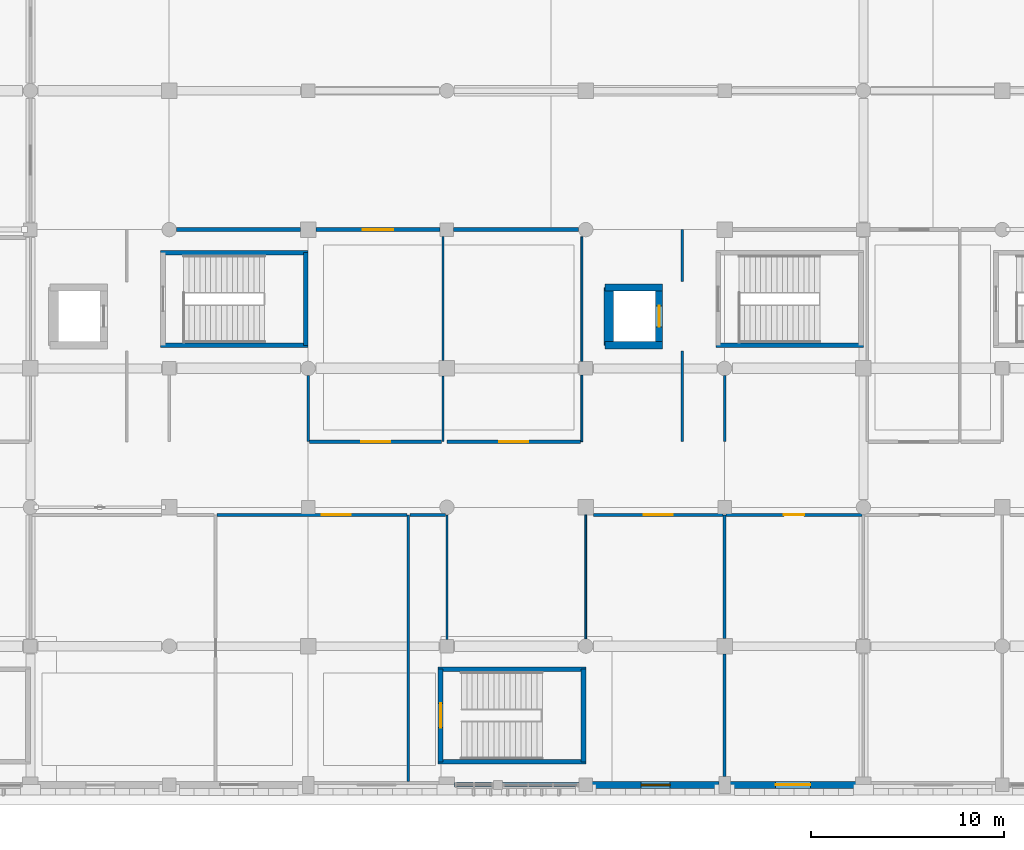
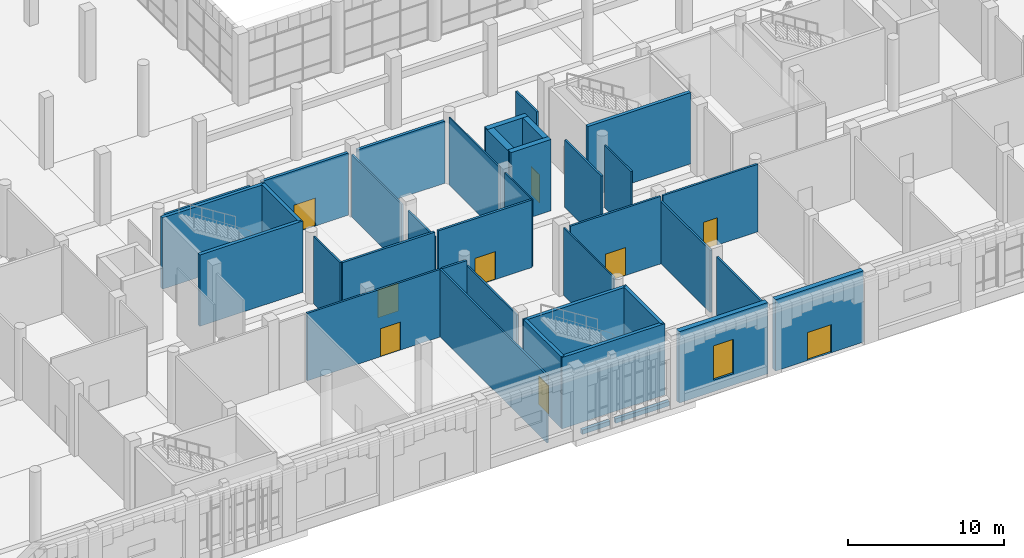
# One storey, part 55 of 85: 38 walls, 9 doors, 1 window, 10 openings.
"""IFC4 building model written with IfcOpenShell, lengths in metres."""

from ifc_helpers import new_model, si_unit, direction, frame, frame_2d, origin, place, context, subcontext, project, spatial, rectangle, extrude, material, layer, layer_set, type_object, element, fill, save


model = new_model("IFC4")

# Units and contexts
model_context = context("Model", 3, precision=1e-05, world=origin(), true_north=direction((0.0, 1.0)))
body_context = subcontext(model_context, "Body", "Model", "MODEL_VIEW")
ifc_project = project(units=[si_unit("LENGTHUNIT", "METRE"), si_unit("AREAUNIT", "SQUARE_METRE"), si_unit("VOLUMEUNIT", "CUBIC_METRE"), si_unit("PLANEANGLEUNIT", "RADIAN"), si_unit("MASSUNIT", "GRAM", prefix="KILO")], contexts=[model_context])

# Site, building, storey
site_placement = place(None, origin())
site = spatial("IfcSite", under=ifc_project, at=site_placement, CompositionType="ELEMENT")
building_placement = place(site_placement, origin())
building = spatial("IfcBuilding", under=site, at=building_placement, Name="Sardonyx Promenade Sports Hall", CompositionType="ELEMENT")
storey_placement = place(building_placement, origin())
storey = spatial("IfcBuildingStorey", under=building, at=storey_placement, Name="L00", CompositionType="ELEMENT", Elevation=0.0)

# Wall, opening, door
ifc_material_1 = material(Name="Concrete C40/50", Category="concrete")
ifc_layer_1 = layer(ifc_material_1, 0.3798828125)
ifc_layer_set_1 = layer_set([ifc_layer_1], Name="Wall_Core_Shear_380")
wall_type_1 = type_object("IfcWallType", Name="Wall_Core_Shear_380", PredefinedType="SHEAR", material=ifc_layer_set_1)
wall_1_placement = place(storey_placement, frame((54.199951171875, 22.800048828125, 0.0), z_axis=(0.0, 0.0, 1.0), x_axis=(0.0, 1.0, 0.0)))
wall_1 = element("IfcWall", 1, at=wall_1_placement, inside=storey, type_object=wall_type_1, Name="Lift shaft wall LF3 L00 E", PredefinedType="SHEAR", context=body_context, shape_type="SweptSolid", body=[
    extrude(rectangle(XDim=3.0, YDim=0.3798828125, at=frame_2d((1.5, 0.0))), origin(), (0.0, 0.0, 1.0), 5.60009765625),
])
opening_1_placement = place(wall_1_placement, frame((0.949951171875, 0.0, 0.0)))
opening_1 = element("IfcOpeningElement", 2, at=opening_1_placement, cuts=wall_1, Name="Opening LD01", PredefinedType="OPENING", context=body_context, shape_type="SweptSolid", body=[
    extrude(rectangle(XDim=1.10009765625, YDim=2.199951171875, at=frame_2d((0.550048828125, 1.10009765625))), frame((0.0, 0.2, 0.0), z_axis=(0.0, -1.0, 0.0), x_axis=(1.0, 0.0, 0.0)), (0.0, 0.0, 1.0), 0.4),
])
ifc_material_2 = material(Name="Fire-rated stainless steel sliding lift door", Category="steel")
door_type_1 = type_object("IfcDoorType", Name="Door_Lift_Pass_110x220", OperationType="NOTDEFINED", PredefinedType="DOOR", material=ifc_material_2)
door_1_placement = place(opening_1_placement, origin())
door_1 = element("IfcDoor", 3, at=door_1_placement, inside=storey, type_object=door_type_1, Name="Lift landing sliding door LD-LF3-L00", OperationType="SLIDING_TO_LEFT", OverallHeight=2.199951171875, OverallWidth=1.10009765625, PredefinedType="DOOR", context=body_context, shape_type="SweptSolid", body=[
    extrude(rectangle(XDim=1.10009765625, YDim=2.199951171875, at=frame_2d((0.550048828125, 1.10009765625))), frame((0.0, 0.02490234375, 0.0), z_axis=(0.0, -1.0, 0.0), x_axis=(1.0, 0.0, 0.0)), (0.0, 0.0, 1.0), 0.050048828125),
])
fill(opening_1, door_1)

# Walls
for number, where, z_axis, x_axis, name in (
    (4, (51.409912109375, 25.800048828125, 0.0), (0.0, 0.0, 1.0), (1.0, 0.0, 0.0), "Lift shaft wall LF3 L00 N"),
    (5, (54.389892578125, 22.800048828125, 0.0), (0.0, 0.0, 1.0), (-1.0, 0.0, 0.0), "Lift shaft wall LF3 L00 S"),
):
    element("IfcWall", number, at=place(storey_placement, frame(where, z_axis=z_axis, x_axis=x_axis)), inside=storey, type_object=wall_type_1, Name=name, PredefinedType="SHEAR", context=body_context, shape_type="SweptSolid", body=[
        extrude(rectangle(XDim=2.97998046875, YDim=0.3798828125, at=frame_2d((1.489990234375, 0.0))), origin(), (0.0, 0.0, 1.0), 5.60009765625),
    ])
ifc_material_3 = material(Name="Concrete C50/60", Category="concrete")
ifc_layer_2 = layer(ifc_material_3, 0.5)
ifc_layer_set_2 = layer_set([ifc_layer_2], Name="Wall_Core_Shear_500")
wall_type_2 = type_object("IfcWallType", Name="Wall_Core_Shear_500", PredefinedType="SHEAR", material=ifc_layer_set_2)
wall_2_placement = place(storey_placement, frame((51.60009765625, 25.800048828125, 0.0), z_axis=(0.0, 0.0, 1.0), x_axis=(0.0, -1.0, 0.0)))
element("IfcWall", 6, at=wall_2_placement, inside=storey, type_object=wall_type_2, Name="Lift shaft wall LF3 L00 W", PredefinedType="SHEAR", context=body_context, shape_type="SweptSolid", body=[
    extrude(rectangle(XDim=3.0, YDim=0.5, at=frame_2d((1.5, 0.0))), origin(), (0.0, 0.0, 1.0), 5.60009765625),
])

# Wall, opening, door
ifc_material_4 = material(Name="Concrete C40/50", Category="concrete")
ifc_layer_3 = layer(ifc_material_4, 0.360107421875)
ifc_layer_set_3 = layer_set([ifc_layer_3], Name="Wall_Ext_Sandstone_360")
wall_type_3 = type_object("IfcWallType", Name="Wall_Ext_Sandstone_360", PredefinedType="SOLIDWALL", material=ifc_layer_set_3)
wall_3_placement = place(storey_placement, frame((64.4150390625, 0.0, 0.0), z_axis=(0.0, 0.0, 1.0), x_axis=(-1.0, 0.0, 0.0)))
wall_3 = element("IfcWall", 7, at=wall_3_placement, inside=storey, type_object=wall_type_3, Name="Exterior wall EW06 L00 #20", PredefinedType="SOLIDWALL", context=body_context, shape_type="SweptSolid", body=[
    extrude(rectangle(XDim=6.530029296875, YDim=0.360107421875, at=frame_2d((3.26513671875, 0.0))), origin(), (0.0, 0.0, 1.0), 5.60009765625),
])
opening_2_placement = place(wall_3_placement, frame((2.364990234375, 0.0, 0.0)))
opening_2 = element("IfcOpeningElement", 8, at=opening_2_placement, cuts=wall_3, Name="Opening ED04", PredefinedType="OPENING", context=body_context, shape_type="SweptSolid", body=[
    extrude(rectangle(XDim=1.800048828125, YDim=2.199951171875, at=frame_2d((0.89990234375, 1.10009765625))), frame((0.0, 0.19, 0.0), z_axis=(0.0, -1.0, 0.0), x_axis=(1.0, 0.0, 0.0)), (0.0, 0.0, 1.0), 0.38),
])
ifc_material_5 = material(Name="Thermally broken anodised aluminium glazed door", Category="aluminium")
door_type_2 = type_object("IfcDoorType", Name="Door_Ext_Escape_180x220", OperationType="NOTDEFINED", PredefinedType="DOOR", material=ifc_material_5)
door_2_placement = place(opening_2_placement, origin())
door_2 = element("IfcDoor", 9, at=door_2_placement, inside=storey, type_object=door_type_2, Name="Exterior exit door E06", OperationType="DOUBLE_DOOR_SINGLE_SWING", OverallHeight=2.199951171875, OverallWidth=1.800048828125, PredefinedType="DOOR", context=body_context, shape_type="SweptSolid", body=[
    extrude(rectangle(XDim=1.800048828125, YDim=2.199951171875, at=frame_2d((0.89990234375, 1.10009765625))), frame((0.0, 0.02490234375, 0.0), z_axis=(0.0, -1.0, 0.0), x_axis=(1.0, 0.0, 0.0)), (0.0, 0.0, 1.0), 0.050048828125),
])
fill(opening_2, door_2)

# Wall, opening, window
wall_4_placement = place(storey_placement, frame((57.31494140625, 0.0, 0.0), z_axis=(0.0, 0.0, 1.0), x_axis=(-1.0, 0.0, 0.0)))
wall_4 = element("IfcWall", 10, at=wall_4_placement, inside=storey, type_object=wall_type_3, Name="Exterior wall EW06 L00 #21", PredefinedType="SOLIDWALL", context=body_context, shape_type="SweptSolid", body=[
    extrude(rectangle(XDim=6.579833984375, YDim=0.360107421875, at=frame_2d((3.2900390625, 0.0))), origin(), (0.0, 0.0, 1.0), 5.60009765625),
])
opening_3_placement = place(wall_4_placement, frame((2.5400390625, 0.0, 0.89990234375)))
opening_3 = element("IfcOpeningElement", 11, at=opening_3_placement, cuts=wall_4, Name="Opening W07", PredefinedType="OPENING", context=body_context, shape_type="SweptSolid", body=[
    extrude(rectangle(XDim=1.5, YDim=2.699951171875, at=frame_2d((0.75, 1.35009765625))), frame((0.0, 0.19, 0.0), z_axis=(0.0, -1.0, 0.0), x_axis=(1.0, 0.0, 0.0)), (0.0, 0.0, 1.0), 0.38),
])
ifc_material_6 = material(Name="Double-glazed solar low-E aluminium window", Category="aluminium")
window_type = type_object("IfcWindowType", Name="Win_Sandstone_TallA", PartitioningType="SINGLE_PANEL", PredefinedType="WINDOW", material=ifc_material_6)
window_placement = place(opening_3_placement, origin())
window = element("IfcWindow", 12, at=window_placement, inside=storey, type_object=window_type, Name="Facade window W07 L00 #5", OverallHeight=2.699951171875, OverallWidth=1.5, PartitioningType="SINGLE_PANEL", PredefinedType="WINDOW", context=body_context, shape_type="SweptSolid", body=[
    extrude(rectangle(XDim=1.5, YDim=2.699951171875, at=frame_2d((0.75, 1.35009765625))), frame((0.0, 0.030029296875, 0.0), z_axis=(0.0, -1.0, 0.0), x_axis=(1.0, 0.0, 0.0)), (0.0, 0.0, 1.0), 0.06005859375),
])
fill(opening_3, window)

# Walls
ifc_material_7 = material(Name="Masonry CMU 15 MPa", Category="masonry")
ifc_layer_4 = layer(ifc_material_7, 0.239990234375)
ifc_layer_set_4 = layer_set([ifc_layer_4], Name="Wall_Ext_Spandrel_240")
wall_type_4 = type_object("IfcWallType", Name="Wall_Ext_Spandrel_240", PredefinedType="SOLIDWALL", material=ifc_layer_set_4)
wall_5_placement = place(storey_placement, frame((50.06494140625, 0.0, 0.0), z_axis=(0.0, 0.0, 1.0), x_axis=(-1.0, 0.0, 0.0)))
element("IfcWall", 13, at=wall_5_placement, inside=storey, type_object=wall_type_4, Name="Curtain-wall sill spandrel L00 #22", PredefinedType="SOLIDWALL", context=body_context, shape_type="SweptSolid", body=[
    extrude(rectangle(XDim=4.0048828125, YDim=0.239990234375, at=frame_2d((2.00244140625, 0.0))), origin(), (0.0, 0.0, 1.0), 0.35009765625),
])
wall_6_placement = place(storey_placement, frame((45.639892578125, 0.0, 0.0), z_axis=(0.0, 0.0, 1.0), x_axis=(-1.0, 0.0, 0.0)))
element("IfcWall", 14, at=wall_6_placement, inside=storey, type_object=wall_type_4, Name="Curtain-wall sill spandrel L00 #23", PredefinedType="SOLIDWALL", context=body_context, shape_type="SweptSolid", body=[
    extrude(rectangle(XDim=2.054931640625, YDim=0.239990234375, at=frame_2d((1.02734375, 0.0))), origin(), (0.0, 0.0, 1.0), 0.35009765625),
])

# Wall, opening, door
ifc_material_8 = material(Name="Twin-stud acoustic gypsum partition", Category="gypsum")
ifc_layer_5 = layer(ifc_material_8, 0.169921875)
ifc_layer_set_5 = layer_set([ifc_layer_5], Name="Wall_Part_Acoust_170")
wall_type_5 = type_object("IfcWallType", Name="Wall_Part_Acoust_170", PredefinedType="PARTITIONING", material=ifc_layer_set_5)
wall_7_placement = place(storey_placement, frame((36.074951171875, 17.800048828125, 0.0), z_axis=(0.0, 0.0, 1.0), x_axis=(1.0, 0.0, 0.0)))
wall_7 = element("IfcWall", 15, at=wall_7_placement, inside=storey, type_object=wall_type_5, Name="Interior partition PW06 L00 #140", PredefinedType="PARTITIONING", context=body_context, shape_type="SweptSolid", body=[
    extrude(rectangle(XDim=6.85498046875, YDim=0.169921875, at=frame_2d((3.427490234375, 0.0))), origin(), (0.0, 0.0, 1.0), 5.300048828125),
])
opening_4_placement = place(wall_7_placement, frame((2.677490234375, 0.0, 0.0)))
opening_4 = element("IfcOpeningElement", 16, at=opening_4_placement, cuts=wall_7, Name="Opening ID10", PredefinedType="OPENING", context=body_context, shape_type="SweptSolid", body=[
    extrude(rectangle(XDim=1.5, YDim=2.199951171875, at=frame_2d((0.75, 1.10009765625))), frame((0.0, 0.095, 0.0), z_axis=(0.0, -1.0, 0.0), x_axis=(1.0, 0.0, 0.0)), (0.0, 0.0, 1.0), 0.19),
])
ifc_material_9 = material(Name="Double studio entrance fire door FD30S", Category="wood")
door_type_3 = type_object("IfcDoorType", Name="Door_Corr_FD30_150x220", OperationType="NOTDEFINED", PredefinedType="DOOR", material=ifc_material_9)
door_3_placement = place(opening_4_placement, origin())
door_3 = element("IfcDoor", 17, at=door_3_placement, inside=storey, type_object=door_type_3, Name="Interior door D00-039", OperationType="DOUBLE_DOOR_SINGLE_SWING", OverallHeight=2.199951171875, OverallWidth=1.5, PredefinedType="DOOR", context=body_context, shape_type="SweptSolid", body=[
    extrude(rectangle(XDim=1.5, YDim=2.199951171875, at=frame_2d((0.75, 1.10009765625))), frame((0.0, 0.02490234375, 0.0), z_axis=(0.0, -1.0, 0.0), x_axis=(1.0, 0.0, 0.0)), (0.0, 0.0, 1.0), 0.050048828125),
])
fill(opening_4, door_3)

wall_8_placement = place(storey_placement, frame((43.199951171875, 17.800048828125, 0.0), z_axis=(0.0, 0.0, 1.0), x_axis=(1.0, 0.0, 0.0)))
wall_8 = element("IfcWall", 18, at=wall_8_placement, inside=storey, type_object=wall_type_5, Name="Interior partition PW06 L00 #141", PredefinedType="PARTITIONING", context=body_context, shape_type="SweptSolid", body=[
    extrude(rectangle(XDim=6.93994140625, YDim=0.169921875, at=frame_2d((3.469970703125, 0.0))), origin(), (0.0, 0.0, 1.0), 5.300048828125),
])
opening_5_placement = place(wall_8_placement, frame((2.719970703125, 0.0, 0.0)))
opening_5 = element("IfcOpeningElement", 19, at=opening_5_placement, cuts=wall_8, Name="Opening ID10", PredefinedType="OPENING", context=body_context, shape_type="SweptSolid", body=[
    extrude(rectangle(XDim=1.5, YDim=2.199951171875, at=frame_2d((0.75, 1.10009765625))), frame((0.0, 0.095, 0.0), z_axis=(0.0, -1.0, 0.0), x_axis=(1.0, 0.0, 0.0)), (0.0, 0.0, 1.0), 0.19),
])
door_4_placement = place(opening_5_placement, origin())
door_4 = element("IfcDoor", 20, at=door_4_placement, inside=storey, type_object=door_type_3, Name="Interior door D00-040", OperationType="DOUBLE_DOOR_SINGLE_SWING", OverallHeight=2.199951171875, OverallWidth=1.5, PredefinedType="DOOR", context=body_context, shape_type="SweptSolid", body=[
    extrude(rectangle(XDim=1.5, YDim=2.199951171875, at=frame_2d((0.75, 1.10009765625))), frame((0.0, 0.02490234375, 0.0), z_axis=(0.0, -1.0, 0.0), x_axis=(1.0, 0.0, 0.0)), (0.0, 0.0, 1.0), 0.050048828125),
])
fill(opening_5, door_4)

# Wall
ifc_material_10 = material(Name="Masonry CMU 15 MPa", Category="masonry")
ifc_layer_6 = layer(ifc_material_10, 0.2099609375)
ifc_layer_set_6 = layer_set([ifc_layer_6], Name="Wall_Part_Block_210")
wall_type_6 = type_object("IfcWallType", Name="Wall_Part_Block_210", PredefinedType="PARTITIONING", material=ifc_layer_set_6)
wall_9_placement = place(storey_placement, frame((29.175048828125, 28.800048828125, 0.0), z_axis=(0.0, 0.0, 1.0), x_axis=(1.0, 0.0, 0.0)))
element("IfcWall", 21, at=wall_9_placement, inside=storey, type_object=wall_type_6, Name="Interior partition PW07 L00 #111", PredefinedType="PARTITIONING", context=body_context, shape_type="SweptSolid", body=[
    extrude(rectangle(XDim=6.425048828125, YDim=0.2099609375, at=frame_2d((3.21240234375, 0.0))), origin(), (0.0, 0.0, 1.0), 4.780029296875),
])

# Wall, opening, door
wall_10_placement = place(storey_placement, frame((36.39990234375, 28.800048828125, 0.0), z_axis=(0.0, 0.0, 1.0), x_axis=(1.0, 0.0, 0.0)))
wall_10 = element("IfcWall", 22, at=wall_10_placement, inside=storey, type_object=wall_type_6, Name="Interior partition PW07 L00 #112", PredefinedType="PARTITIONING", context=body_context, shape_type="SweptSolid", body=[
    extrude(rectangle(XDim=6.4501953125, YDim=0.2099609375, at=frame_2d((3.22509765625, 0.0))), origin(), (0.0, 0.0, 1.0), 4.8798828125),
])
opening_6_placement = place(wall_10_placement, frame((2.425048828125, 0.0, 0.0)))
opening_6 = element("IfcOpeningElement", 23, at=opening_6_placement, cuts=wall_10, Name="Opening ID09", PredefinedType="OPENING", context=body_context, shape_type="SweptSolid", body=[
    extrude(rectangle(XDim=1.60009765625, YDim=2.199951171875, at=frame_2d((0.800048828125, 1.10009765625))), frame((0.0, 0.115, 0.0), z_axis=(0.0, -1.0, 0.0), x_axis=(1.0, 0.0, 0.0)), (0.0, 0.0, 1.0), 0.23),
])
ifc_material_11 = material(Name="Double hardwood vision-panel fire door FD60S", Category="wood")
door_type_4 = type_object("IfcDoorType", Name="Door_Lobby_FD60_160x220", OperationType="NOTDEFINED", PredefinedType="DOOR", material=ifc_material_11)
door_5_placement = place(opening_6_placement, origin())
door_5 = element("IfcDoor", 24, at=door_5_placement, inside=storey, type_object=door_type_4, Name="Interior door D00-022", OperationType="DOUBLE_DOOR_SINGLE_SWING", OverallHeight=2.199951171875, OverallWidth=1.60009765625, PredefinedType="DOOR", context=body_context, shape_type="SweptSolid", body=[
    extrude(rectangle(XDim=1.60009765625, YDim=2.199951171875, at=frame_2d((0.800048828125, 1.10009765625))), frame((0.0, 0.02490234375, 0.0), z_axis=(0.0, -1.0, 0.0), x_axis=(1.0, 0.0, 0.0)), (0.0, 0.0, 1.0), 0.050048828125),
])
fill(opening_6, door_5)

# Walls
wall_11_placement = place(storey_placement, frame((43.550048828125, 28.800048828125, 0.0), z_axis=(0.0, 0.0, 1.0), x_axis=(1.0, 0.0, 0.0)))
element("IfcWall", 25, at=wall_11_placement, inside=storey, type_object=wall_type_6, Name="Interior partition PW07 L00 #113", PredefinedType="PARTITIONING", context=body_context, shape_type="SweptSolid", body=[
    extrude(rectangle(XDim=6.474853515625, YDim=0.2099609375, at=frame_2d((3.2373046875, 0.0))), origin(), (0.0, 0.0, 1.0), 4.8798828125),
])
ifc_material_12 = material(Name="Hygienic clinical stud partition", Category="gypsum")
ifc_layer_7 = layer(ifc_material_12, 0.1201171875)
ifc_layer_set_7 = layer_set([ifc_layer_7], Name="Wall_Part_Clinic_120")
wall_type_7 = type_object("IfcWallType", Name="Wall_Part_Clinic_120", PredefinedType="PARTITIONING", material=ifc_layer_set_7)
wall_12_placement = place(storey_placement, frame((43.199951171875, 7.550048828125, 0.0), z_axis=(0.0, 0.0, 1.0), x_axis=(0.0, 1.0, 0.0)))
element("IfcWall", 26, at=wall_12_placement, inside=storey, type_object=wall_type_7, Name="Interior partition PW02 L00 #55", PredefinedType="PARTITIONING", context=body_context, shape_type="SweptSolid", body=[
    extrude(rectangle(XDim=6.449951171875, YDim=0.1201171875, at=frame_2d((3.22509765625, 0.0))), origin(), (0.0, 0.0, 1.0), 4.8798828125),
])
wall_13_placement = place(storey_placement, frame((43.0, 17.800048828125, 0.0), z_axis=(0.0, 0.0, 1.0), x_axis=(0.0, 1.0, 0.0)))
element("IfcWall", 27, at=wall_13_placement, inside=storey, type_object=wall_type_7, Name="Interior partition PW02 L00 #87", PredefinedType="PARTITIONING", context=body_context, shape_type="SweptSolid", body=[
    extrude(rectangle(XDim=3.39990234375, YDim=0.1201171875, at=frame_2d((1.699951171875, 0.0))), origin(), (0.0, 0.0, 1.0), 4.8798828125),
])
wall_14_placement = place(storey_placement, frame((43.0, 22.0, 0.0), z_axis=(0.0, 0.0, 1.0), x_axis=(0.0, 1.0, 0.0)))
element("IfcWall", 28, at=wall_14_placement, inside=storey, type_object=wall_type_7, Name="Interior partition PW02 L00 #88", PredefinedType="PARTITIONING", context=body_context, shape_type="SweptSolid", body=[
    extrude(rectangle(XDim=6.449951171875, YDim=0.1201171875, at=frame_2d((3.22509765625, 0.0))), origin(), (0.0, 0.0, 1.0), 4.8798828125),
])

# Wall, opening, door
ifc_material_13 = material(Name="Fire-rated stud gypsum partition", Category="gypsum")
ifc_layer_8 = layer(ifc_material_13, 0.14990234375)
ifc_layer_set_8 = layer_set([ifc_layer_8], Name="Wall_Part_Corridor_150")
wall_type_8 = type_object("IfcWallType", Name="Wall_Part_Corridor_150", PredefinedType="PARTITIONING", material=ifc_layer_set_8)
wall_15_placement = place(storey_placement, frame((31.280029296875, 14.0, 0.0), z_axis=(0.0, 0.0, 1.0), x_axis=(1.0, 0.0, 0.0)))
wall_15 = element("IfcWall", 29, at=wall_15_placement, inside=storey, type_object=wall_type_8, Name="Interior partition PW04 L00 #125", PredefinedType="PARTITIONING", context=body_context, shape_type="SweptSolid", body=[
    extrude(rectangle(XDim=9.844970703125, YDim=0.14990234375, at=frame_2d((4.92236328125, 0.0))), origin(), (0.0, 0.0, 1.0), 5.300048828125),
])
opening_7_placement = place(wall_15_placement, frame((5.422607421875, 0.0, 0.0)))
opening_7 = element("IfcOpeningElement", 30, at=opening_7_placement, cuts=wall_15, Name="Opening ID10", PredefinedType="OPENING", context=body_context, shape_type="SweptSolid", body=[
    extrude(rectangle(XDim=1.5, YDim=2.199951171875, at=frame_2d((0.75, 1.10009765625))), frame((0.0, 0.085, 0.0), z_axis=(0.0, -1.0, 0.0), x_axis=(1.0, 0.0, 0.0)), (0.0, 0.0, 1.0), 0.17),
])
door_6_placement = place(opening_7_placement, origin())
door_6 = element("IfcDoor", 31, at=door_6_placement, inside=storey, type_object=door_type_3, Name="Interior door D00-025", OperationType="DOUBLE_DOOR_SINGLE_SWING", OverallHeight=2.199951171875, OverallWidth=1.5, PredefinedType="DOOR", context=body_context, shape_type="SweptSolid", body=[
    extrude(rectangle(XDim=1.5, YDim=2.199951171875, at=frame_2d((0.75, 1.10009765625))), frame((0.0, 0.02490234375, 0.0), z_axis=(0.0, -1.0, 0.0), x_axis=(1.0, 0.0, 0.0)), (0.0, 0.0, 1.0), 0.050048828125),
])
fill(opening_7, door_6)

# Wall
wall_16_placement = place(storey_placement, frame((41.27490234375, 14.0, 0.0), z_axis=(0.0, 0.0, 1.0), x_axis=(1.0, 0.0, 0.0)))
element("IfcWall", 32, at=wall_16_placement, inside=storey, type_object=wall_type_8, Name="Interior partition PW04 L00 #126", PredefinedType="PARTITIONING", context=body_context, shape_type="SweptSolid", body=[
    extrude(rectangle(XDim=1.85498046875, YDim=0.14990234375, at=frame_2d((0.927490234375, 0.0))), origin(), (0.0, 0.0, 1.0), 5.300048828125),
])

# Wall, opening, door
wall_17_placement = place(storey_placement, frame((50.800048828125, 14.0, 0.0), z_axis=(0.0, 0.0, 1.0), x_axis=(1.0, 0.0, 0.0)))
wall_17 = element("IfcWall", 33, at=wall_17_placement, inside=storey, type_object=wall_type_8, Name="Interior partition PW04 L00 #127", PredefinedType="PARTITIONING", context=body_context, shape_type="SweptSolid", body=[
    extrude(rectangle(XDim=6.719970703125, YDim=0.14990234375, at=frame_2d((3.35986328125, 0.0))), origin(), (0.0, 0.0, 1.0), 5.300048828125),
])
opening_8_placement = place(wall_17_placement, frame((2.610107421875, 0.0, 0.0)))
opening_8 = element("IfcOpeningElement", 34, at=opening_8_placement, cuts=wall_17, Name="Opening ID10", PredefinedType="OPENING", context=body_context, shape_type="SweptSolid", body=[
    extrude(rectangle(XDim=1.5, YDim=2.199951171875, at=frame_2d((0.75, 1.10009765625))), frame((0.0, 0.085, 0.0), z_axis=(0.0, -1.0, 0.0), x_axis=(1.0, 0.0, 0.0)), (0.0, 0.0, 1.0), 0.17),
])
door_7_placement = place(opening_8_placement, origin())
door_7 = element("IfcDoor", 35, at=door_7_placement, inside=storey, type_object=door_type_3, Name="Interior door D00-026", OperationType="DOUBLE_DOOR_SINGLE_SWING", OverallHeight=2.199951171875, OverallWidth=1.5, PredefinedType="DOOR", context=body_context, shape_type="SweptSolid", body=[
    extrude(rectangle(XDim=1.5, YDim=2.199951171875, at=frame_2d((0.75, 1.10009765625))), frame((0.0, 0.02490234375, 0.0), z_axis=(0.0, -1.0, 0.0), x_axis=(1.0, 0.0, 0.0)), (0.0, 0.0, 1.0), 0.050048828125),
])
fill(opening_8, door_7)

wall_18_placement = place(storey_placement, frame((57.679931640625, 14.0, 0.0), z_axis=(0.0, 0.0, 1.0), x_axis=(1.0, 0.0, 0.0)))
wall_18 = element("IfcWall", 36, at=wall_18_placement, inside=storey, type_object=wall_type_8, Name="Interior partition PW04 L00 #128", PredefinedType="PARTITIONING", context=body_context, shape_type="SweptSolid", body=[
    extrude(rectangle(XDim=7.045166015625, YDim=0.14990234375, at=frame_2d((3.5224609375, 0.0))), origin(), (0.0, 0.0, 1.0), 5.300048828125),
])
opening_9_placement = place(wall_18_placement, frame((2.99755859375, 0.0, 0.0)))
opening_9 = element("IfcOpeningElement", 37, at=opening_9_placement, cuts=wall_18, Name="Opening ID07", PredefinedType="OPENING", context=body_context, shape_type="SweptSolid", body=[
    extrude(rectangle(XDim=1.050048828125, YDim=2.14990234375, at=frame_2d((0.52490234375, 1.074951171875))), frame((0.0, 0.085, 0.0), z_axis=(0.0, -1.0, 0.0), x_axis=(1.0, 0.0, 0.0)), (0.0, 0.0, 1.0), 0.17),
])
ifc_material_14 = material(Name="Hardwood accessible fire door FD30S", Category="wood")
door_type_5 = type_object("IfcDoorType", Name="Door_Corr_FD30_105x215", OperationType="NOTDEFINED", PredefinedType="DOOR", material=ifc_material_14)
door_8_placement = place(opening_9_placement, origin())
door_8 = element("IfcDoor", 38, at=door_8_placement, inside=storey, type_object=door_type_5, Name="Interior door D00-027", OperationType="SINGLE_SWING_LEFT", OverallHeight=2.14990234375, OverallWidth=1.050048828125, PredefinedType="DOOR", context=body_context, shape_type="SweptSolid", body=[
    extrude(rectangle(XDim=1.050048828125, YDim=2.14990234375, at=frame_2d((0.52490234375, 1.074951171875))), frame((0.0, 0.02490234375, 0.0), z_axis=(0.0, -1.0, 0.0), x_axis=(1.0, 0.0, 0.0)), (0.0, 0.0, 1.0), 0.050048828125),
])
fill(opening_9, door_8)

# Walls
ifc_material_15 = material(Name="Lightweight steel-stud partition", Category="steel")
ifc_layer_9 = layer(ifc_material_15, 0.10009765625)
ifc_layer_set_9 = layer_set([ifc_layer_9], Name="Wall_Part_Light_100")
wall_type_9 = type_object("IfcWallType", Name="Wall_Part_Light_100", PredefinedType="PARTITIONING", material=ifc_layer_set_9)
wall_19_placement = place(storey_placement, frame((50.39990234375, 7.574951171875, 0.0), z_axis=(0.0, 0.0, 1.0), x_axis=(0.0, 1.0, 0.0)))
element("IfcWall", 39, at=wall_19_placement, inside=storey, type_object=wall_type_9, Name="Interior partition PW01 L00 #56", PredefinedType="PARTITIONING", context=body_context, shape_type="SweptSolid", body=[
    extrude(rectangle(XDim=6.425048828125, YDim=0.10009765625, at=frame_2d((3.21240234375, 0.0))), origin(), (0.0, 0.0, 1.0), 5.300048828125),
])
wall_20_placement = place(storey_placement, frame((50.199951171875, 17.800048828125, 0.0), z_axis=(0.0, 0.0, 1.0), x_axis=(0.0, 1.0, 0.0)))
element("IfcWall", 40, at=wall_20_placement, inside=storey, type_object=wall_type_9, Name="Interior partition PW01 L00 #89", PredefinedType="PARTITIONING", context=body_context, shape_type="SweptSolid", body=[
    extrude(rectangle(XDim=3.449951171875, YDim=0.10009765625, at=frame_2d((1.72509765625, 0.0))), origin(), (0.0, 0.0, 1.0), 5.300048828125),
])
wall_21_placement = place(storey_placement, frame((50.199951171875, 21.949951171875, 0.0), z_axis=(0.0, 0.0, 1.0), x_axis=(0.0, 1.0, 0.0)))
element("IfcWall", 41, at=wall_21_placement, inside=storey, type_object=wall_type_9, Name="Interior partition PW01 L00 #90", PredefinedType="PARTITIONING", context=body_context, shape_type="SweptSolid", body=[
    extrude(rectangle(XDim=6.47509765625, YDim=0.10009765625, at=frame_2d((3.237548828125, 0.0))), origin(), (0.0, 0.0, 1.0), 5.300048828125),
])
ifc_material_16 = material(Name="Acoustic sports stud partition", Category="gypsum")
ifc_layer_10 = layer(ifc_material_16, 0.1298828125)
ifc_layer_set_10 = layer_set([ifc_layer_10], Name="Wall_Part_Studio_130")
wall_type_10 = type_object("IfcWallType", Name="Wall_Part_Studio_130", PredefinedType="PARTITIONING", material=ifc_layer_set_10)
wall_22_placement = place(storey_placement, frame((41.199951171875, 0.18994140625, 0.0), z_axis=(0.0, 0.0, 1.0), x_axis=(0.0, 1.0, 0.0)))
element("IfcWall", 42, at=wall_22_placement, inside=storey, type_object=wall_type_10, Name="Interior partition PW05 L00 #54", PredefinedType="PARTITIONING", context=body_context, shape_type="SweptSolid", body=[
    extrude(rectangle(XDim=13.81005859375, YDim=0.1298828125, at=frame_2d((6.905029296875, 0.0))), origin(), (0.0, 0.0, 1.0), 5.300048828125),
])
wall_23_placement = place(storey_placement, frame((36.0, 17.800048828125, 0.0), z_axis=(0.0, 0.0, 1.0), x_axis=(0.0, 1.0, 0.0)))
element("IfcWall", 43, at=wall_23_placement, inside=storey, type_object=wall_type_10, Name="Interior partition PW05 L00 #86", PredefinedType="PARTITIONING", context=body_context, shape_type="SweptSolid", body=[
    extrude(rectangle(XDim=3.425048828125, YDim=0.1298828125, at=frame_2d((1.71240234375, 0.0))), origin(), (0.0, 0.0, 1.0), 5.300048828125),
])
wall_24_placement = place(storey_placement, frame((57.60009765625, 17.800048828125, 0.0), z_axis=(0.0, 0.0, 1.0), x_axis=(0.0, 1.0, 0.0)))
element("IfcWall", 44, at=wall_24_placement, inside=storey, type_object=wall_type_10, Name="Interior partition PW05 L00 #93", PredefinedType="PARTITIONING", context=body_context, shape_type="SweptSolid", body=[
    extrude(rectangle(XDim=3.425048828125, YDim=0.1298828125, at=frame_2d((1.71240234375, 0.0))), origin(), (0.0, 0.0, 1.0), 4.8798828125),
])
ifc_material_17 = material(Name="Moisture-resistant masonry partition", Category="masonry")
ifc_layer_11 = layer(ifc_material_17, 0.139892578125)
ifc_layer_set_11 = layer_set([ifc_layer_11], Name="Wall_Part_Wet_140")
wall_type_11 = type_object("IfcWallType", Name="Wall_Part_Wet_140", PredefinedType="PARTITIONING", material=ifc_layer_set_11)
wall_25_placement = place(storey_placement, frame((57.60009765625, 0.449951171875, 0.0), z_axis=(0.0, 0.0, 1.0), x_axis=(0.0, 1.0, 0.0)))
element("IfcWall", 45, at=wall_25_placement, inside=storey, type_object=wall_type_11, Name="Interior partition PW08 L00 #57", PredefinedType="PARTITIONING", context=body_context, shape_type="SweptSolid", body=[
    extrude(rectangle(XDim=6.35009765625, YDim=0.139892578125, at=frame_2d((3.175048828125, 0.0))), origin(), (0.0, 0.0, 1.0), 4.8798828125),
])
wall_26_placement = place(storey_placement, frame((57.60009765625, 7.60009765625, 0.0), z_axis=(0.0, 0.0, 1.0), x_axis=(0.0, 1.0, 0.0)))
element("IfcWall", 46, at=wall_26_placement, inside=storey, type_object=wall_type_11, Name="Interior partition PW08 L00 #58", PredefinedType="PARTITIONING", context=body_context, shape_type="SweptSolid", body=[
    extrude(rectangle(XDim=6.39990234375, YDim=0.139892578125, at=frame_2d((3.199951171875, 0.0))), origin(), (0.0, 0.0, 1.0), 4.8798828125),
])
wall_27_placement = place(storey_placement, frame((55.39990234375, 17.800048828125, 0.0), z_axis=(0.0, 0.0, 1.0), x_axis=(0.0, 1.0, 0.0)))
element("IfcWall", 47, at=wall_27_placement, inside=storey, type_object=wall_type_11, Name="Interior partition PW08 L00 #91", PredefinedType="PARTITIONING", context=body_context, shape_type="SweptSolid", body=[
    extrude(rectangle(XDim=4.699951171875, YDim=0.139892578125, at=frame_2d((2.35009765625, 0.0))), origin(), (0.0, 0.0, 1.0), 5.300048828125),
])
wall_28_placement = place(storey_placement, frame((55.39990234375, 26.10009765625, 0.0), z_axis=(0.0, 0.0, 1.0), x_axis=(0.0, 1.0, 0.0)))
element("IfcWall", 48, at=wall_28_placement, inside=storey, type_object=wall_type_11, Name="Interior partition PW08 L00 #92", PredefinedType="PARTITIONING", context=body_context, shape_type="SweptSolid", body=[
    extrude(rectangle(XDim=2.699951171875, YDim=0.139892578125, at=frame_2d((1.35009765625, 0.0))), origin(), (0.0, 0.0, 1.0), 5.300048828125),
])
ifc_material_18 = material(Name="Concrete C40/50", Category="concrete")
ifc_layer_12 = layer(ifc_material_18, 0.25)
ifc_layer_set_12 = layer_set([ifc_layer_12], Name="Wall_Stair_Shear_250")
wall_type_12 = type_object("IfcWallType", Name="Wall_Stair_Shear_250", PredefinedType="SHEAR", material=ifc_layer_set_12)
wall_29_placement = place(storey_placement, frame((28.35009765625, 27.60009765625, 0.0), z_axis=(0.0, 0.0, 1.0), x_axis=(1.0, 0.0, 0.0)))
element("IfcWall", 49, at=wall_29_placement, inside=storey, type_object=wall_type_12, Name="Stair shaft wall ST1 L00 N", PredefinedType="SHEAR", context=body_context, shape_type="SweptSolid", body=[
    extrude(rectangle(XDim=7.64990234375, YDim=0.25, at=frame_2d((3.824951171875, 0.0))), origin(), (0.0, 0.0, 1.0), 5.60009765625),
])
wall_30_placement = place(storey_placement, frame((35.875, 27.60009765625, 0.0), z_axis=(0.0, 0.0, 1.0), x_axis=(0.0, -1.0, 0.0)))
element("IfcWall", 50, at=wall_30_placement, inside=storey, type_object=wall_type_12, Name="Stair shaft wall ST1 L00 E", PredefinedType="SHEAR", context=body_context, shape_type="SweptSolid", body=[
    extrude(rectangle(XDim=4.800048828125, YDim=0.25, at=frame_2d((2.39990234375, 0.0))), origin(), (0.0, 0.0, 1.0), 5.60009765625),
])
wall_31_placement = place(storey_placement, frame((36.0, 22.800048828125, 0.0), z_axis=(0.0, 0.0, 1.0), x_axis=(-1.0, 0.0, 0.0)))
element("IfcWall", 51, at=wall_31_placement, inside=storey, type_object=wall_type_12, Name="Stair shaft wall ST1 L00 S", PredefinedType="SHEAR", context=body_context, shape_type="SweptSolid", body=[
    extrude(rectangle(XDim=7.64990234375, YDim=0.25, at=frame_2d((3.824951171875, 0.0))), origin(), (0.0, 0.0, 1.0), 5.60009765625),
])
wall_32_placement = place(storey_placement, frame((64.800048828125, 22.800048828125, 0.0), z_axis=(0.0, 0.0, 1.0), x_axis=(-1.0, 0.0, 0.0)))
element("IfcWall", 52, at=wall_32_placement, inside=storey, type_object=wall_type_12, Name="Stair shaft wall ST3 L00 S", PredefinedType="SHEAR", context=body_context, shape_type="SweptSolid", body=[
    extrude(rectangle(XDim=7.650146484375, YDim=0.25, at=frame_2d((3.8251953125, 0.0))), origin(), (0.0, 0.0, 1.0), 5.60009765625),
])

# Wall, opening, door
wall_33_placement = place(storey_placement, frame((42.875, 1.199951171875, 0.0), z_axis=(0.0, 0.0, 1.0), x_axis=(0.0, 1.0, 0.0)))
wall_33 = element("IfcWall", 53, at=wall_33_placement, inside=storey, type_object=wall_type_12, Name="Stair shaft wall ST6 L00 entry", PredefinedType="SHEAR", context=body_context, shape_type="SweptSolid", body=[
    extrude(rectangle(XDim=4.800048828125, YDim=0.25, at=frame_2d((2.39990234375, 0.0))), origin(), (0.0, 0.0, 1.0), 5.60009765625),
])
opening_10_placement = place(wall_33_placement, frame((1.77490234375, 0.0, 0.0)))
opening_10 = element("IfcOpeningElement", 54, at=opening_10_placement, cuts=wall_33, Name="Opening ID13", PredefinedType="OPENING", context=body_context, shape_type="SweptSolid", body=[
    extrude(rectangle(XDim=1.25, YDim=2.199951171875, at=frame_2d((0.625, 1.10009765625))), frame((0.0, 0.135, 0.0), z_axis=(0.0, -1.0, 0.0), x_axis=(1.0, 0.0, 0.0)), (0.0, 0.0, 1.0), 0.27),
])
ifc_material_19 = material(Name="Solid-core hardwood fire door FD60S", Category="wood")
door_type_6 = type_object("IfcDoorType", Name="Door_Stair_FD60_125x220", OperationType="NOTDEFINED", PredefinedType="DOOR", material=ifc_material_19)
door_9_placement = place(opening_10_placement, origin())
door_9 = element("IfcDoor", 55, at=door_9_placement, inside=storey, type_object=door_type_6, Name="Protected stair door SD27 (ST6 L00)", OperationType="SINGLE_SWING_LEFT", OverallHeight=2.199951171875, OverallWidth=1.25, PredefinedType="DOOR", context=body_context, shape_type="SweptSolid", body=[
    extrude(rectangle(XDim=1.25, YDim=2.199951171875, at=frame_2d((0.625, 1.10009765625))), frame((0.0, 0.02490234375, 0.0), z_axis=(0.0, -1.0, 0.0), x_axis=(1.0, 0.0, 0.0)), (0.0, 0.0, 1.0), 0.050048828125),
])
fill(opening_10, door_9)

# Walls
wall_34_placement = place(storey_placement, frame((42.75, 6.0, 0.0), z_axis=(0.0, 0.0, 1.0), x_axis=(1.0, 0.0, 0.0)))
element("IfcWall", 56, at=wall_34_placement, inside=storey, type_object=wall_type_12, Name="Stair shaft wall ST6 L00 N", PredefinedType="SHEAR", context=body_context, shape_type="SweptSolid", body=[
    extrude(rectangle(XDim=7.64990234375, YDim=0.25, at=frame_2d((3.824951171875, 0.0))), origin(), (0.0, 0.0, 1.0), 5.60009765625),
])
wall_35_placement = place(storey_placement, frame((50.27490234375, 6.0, 0.0), z_axis=(0.0, 0.0, 1.0), x_axis=(0.0, -1.0, 0.0)))
element("IfcWall", 57, at=wall_35_placement, inside=storey, type_object=wall_type_12, Name="Stair shaft wall ST6 L00 E", PredefinedType="SHEAR", context=body_context, shape_type="SweptSolid", body=[
    extrude(rectangle(XDim=4.800048828125, YDim=0.25, at=frame_2d((2.39990234375, 0.0))), origin(), (0.0, 0.0, 1.0), 5.60009765625),
])
wall_36_placement = place(storey_placement, frame((50.39990234375, 1.199951171875, 0.0), z_axis=(0.0, 0.0, 1.0), x_axis=(-1.0, 0.0, 0.0)))
element("IfcWall", 58, at=wall_36_placement, inside=storey, type_object=wall_type_12, Name="Stair shaft wall ST6 L00 S", PredefinedType="SHEAR", context=body_context, shape_type="SweptSolid", body=[
    extrude(rectangle(XDim=7.64990234375, YDim=0.25, at=frame_2d((3.824951171875, 0.0))), origin(), (0.0, 0.0, 1.0), 5.60009765625),
])

save(model, "model.ifc")
